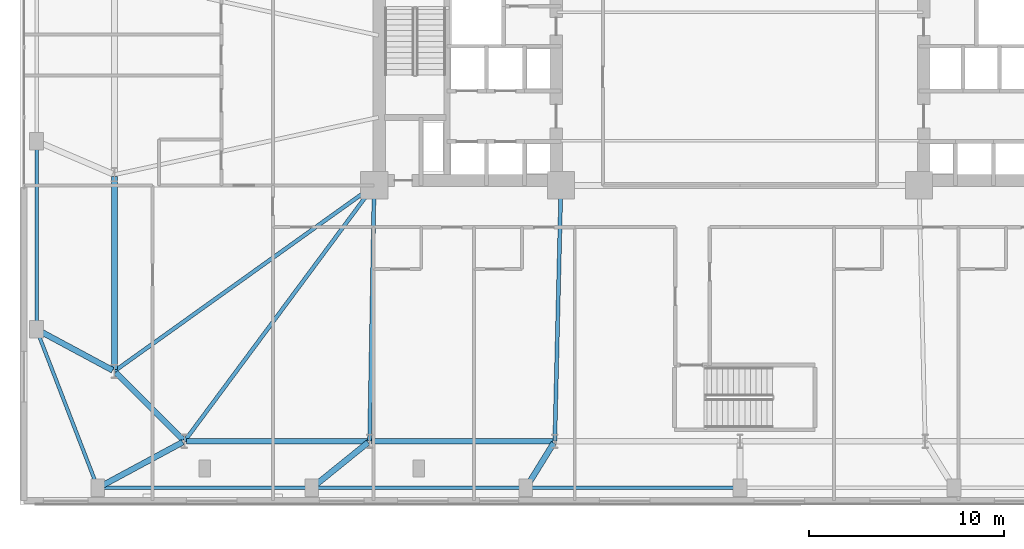
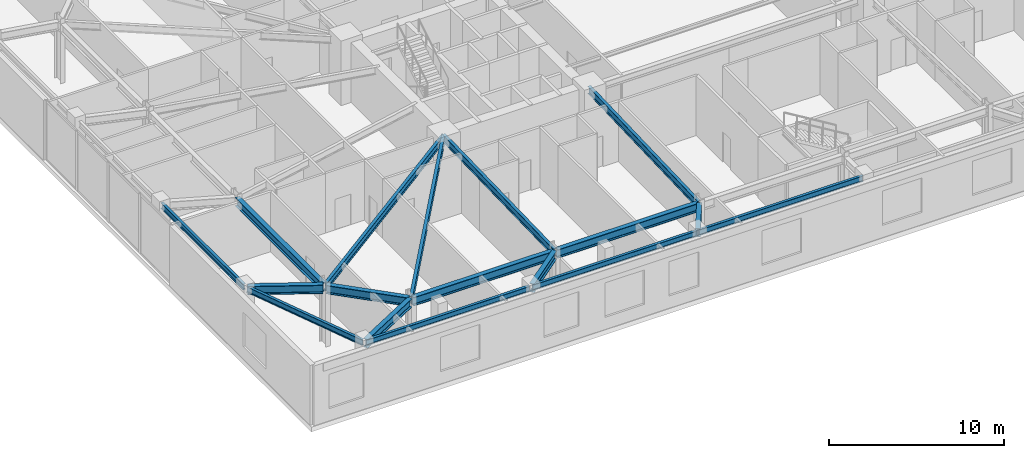
# One storey, part 4 of 21: 17 beams.
"""IFC4 building model written with IfcOpenShell, lengths in metres."""

from ifc_helpers import new_model, si_unit, direction, frame, origin, origin_2d, place, context, subcontext, project, spatial, i_section, extrude, material, material_profile, profile_set, type_object, element, save


model = new_model("IFC4")

# Units and contexts
model_context = context("Model", 3, precision=1e-05, world=origin(), true_north=direction((0.0, 1.0)))
body_context = subcontext(model_context, "Body", "Model", "MODEL_VIEW")
ifc_project = project(units=[si_unit("LENGTHUNIT", "METRE"), si_unit("AREAUNIT", "SQUARE_METRE"), si_unit("VOLUMEUNIT", "CUBIC_METRE"), si_unit("PLANEANGLEUNIT", "RADIAN"), si_unit("MASSUNIT", "GRAM", prefix="KILO")], contexts=[model_context])

# Site, building, storey
site_placement = place(None, origin())
site = spatial("IfcSite", under=ifc_project, at=site_placement, CompositionType="ELEMENT")
building_placement = place(site_placement, origin())
building = spatial("IfcBuilding", under=site, at=building_placement, Name="Qobustan Lattice House", CompositionType="ELEMENT")
storey_placement = place(building_placement, frame((0.0, 0.0, 18.0)))
storey = spatial("IfcBuildingStorey", under=building, at=storey_placement, Name="L04", CompositionType="ELEMENT", Elevation=18.0)

# Beams
ifc_material_1 = material(Name="Steel S355", Category="steel")
ifc_material_profile_1 = material_profile(ifc_material_1, i_section(OverallWidth=0.199951171875, OverallDepth=0.5, WebThickness=0.01025390625, FlangeThickness=0.01611328125, FilletRadius=0.02099609375, at=origin_2d()), Name="IPE500")
ifc_profile_set_1 = profile_set([ifc_material_profile_1], Name="Steel S355")
beam_type_1 = type_object("IfcBeamType", Name="BM-FLG-IPE500", PredefinedType="USERDEFINED", material=ifc_profile_set_1)
beam_1_placement = place(storey_placement, frame((-28.53515625, -18.72998046875, 3.919921875), z_axis=(0.5955916815, 0.803287338956, 0.0), x_axis=(-0.803287338956, 0.5955916815, 0.0)))
element("IfcBeam", 1, at=beam_1_placement, inside=storey, type_object=beam_type_1, Name="L04 primary floor girder RAD-S1W", ObjectType="GIRDER", PredefinedType="USERDEFINED", context=body_context, shape_type="SweptSolid", body=[
    extrude(i_section(OverallWidth=0.199951171875, OverallDepth=0.5, WebThickness=0.01025390625, FlangeThickness=0.01611328125, FilletRadius=0.02099609375, at=origin_2d()), origin(), (0.0, 0.0, 1.0), 16.3203125),
])
beam_2_placement = place(storey_placement, frame((-19.032958984375, -18.72509765625, 3.919921875), z_axis=(0.017757831607, 0.999842317276, 0.0), x_axis=(-0.999842317276, 0.017757831607, 0.0)))
element("IfcBeam", 2, at=beam_2_placement, inside=storey, type_object=beam_type_1, Name="L04 primary floor girder RAD-S2", ObjectType="GIRDER", PredefinedType="USERDEFINED", context=body_context, shape_type="SweptSolid", body=[
    extrude(i_section(OverallWidth=0.199951171875, OverallDepth=0.5, WebThickness=0.01025390625, FlangeThickness=0.01611328125, FilletRadius=0.02099609375, at=origin_2d()), origin(), (0.0, 0.0, 1.0), 13.10205078125),
])
beam_3_placement = place(storey_placement, frame((-9.51611328125, -18.72509765625, 3.919921875), z_axis=(0.024071445657, 0.999710240772, 0.0), x_axis=(-0.999710240772, 0.024071445657, 0.0)))
element("IfcBeam", 3, at=beam_3_placement, inside=storey, type_object=beam_type_1, Name="L04 primary floor girder RAD-S3", ObjectType="GIRDER", PredefinedType="USERDEFINED", context=body_context, shape_type="SweptSolid", body=[
    extrude(i_section(OverallWidth=0.199951171875, OverallDepth=0.5, WebThickness=0.01025390625, FlangeThickness=0.01611328125, FilletRadius=0.02099609375, at=origin_2d()), origin(), (0.0, 0.0, 1.0), 13.10400390625),
])
beam_4_placement = place(storey_placement, frame((-32.129638671875, -15.135498046875, 3.919921875), z_axis=(0.813318954893, 0.581818079481, 0.0), x_axis=(-0.581818079481, 0.813318954893, 0.0)))
element("IfcBeam", 4, at=beam_4_placement, inside=storey, type_object=beam_type_1, Name="L04 primary floor girder RAD-W4", ObjectType="GIRDER", PredefinedType="USERDEFINED", context=body_context, shape_type="SweptSolid", body=[
    extrude(i_section(OverallWidth=0.199951171875, OverallDepth=0.5, WebThickness=0.01025390625, FlangeThickness=0.01611328125, FilletRadius=0.02099609375, at=origin_2d()), origin(), (0.0, 0.0, 1.0), 16.3642578125),
])
ifc_material_2 = material(Name="Steel S355", Category="steel")
ifc_material_profile_2 = material_profile(ifc_material_2, i_section(OverallWidth=0.300048828125, OverallDepth=0.60009765625, WebThickness=0.015380859375, FlangeThickness=0.030029296875, FilletRadius=0.027099609375, at=origin_2d()), Name="HEB600")
ifc_profile_set_2 = profile_set([ifc_material_profile_2], Name="Steel S355")
beam_type_2 = type_object("IfcBeamType", Name="BM-POD-HEB600", PredefinedType="USERDEFINED", material=ifc_profile_set_2)
for number, where, z_axis, x_axis, name in (
    (5, (-28.449951171875, -18.75, 3.8701171875), (1.0, 0.0, 0.0), (0.0, 1.0, 0.0), "L04 tower base ring girder S1-S2"),
    (6, (-18.933349609375, -18.75, 3.8701171875), (1.0, 0.0, 0.0), (0.0, 1.0, 0.0), "L04 tower base ring girder S2-S3"),
):
    element("IfcBeam", number, at=place(storey_placement, frame(where, z_axis=z_axis, x_axis=x_axis)), inside=storey, type_object=beam_type_2, Name=name, ObjectType="GIRDER", PredefinedType="USERDEFINED", context=body_context, shape_type="SweptSolid", body=[
        extrude(i_section(OverallWidth=0.300048828125, OverallDepth=0.60009765625, WebThickness=0.015380859375, FlangeThickness=0.030029296875, FilletRadius=0.027099609375, at=origin_2d()), origin(), (0.0, 0.0, 1.0), 9.316650390625),
    ])
beam_5_placement = place(storey_placement, frame((-32.14990234375, -5.14990234375, 3.8701171875), z_axis=(0.0, -1.0, 0.0), x_axis=(1.0, 0.0, 0.0)))
element("IfcBeam", 7, at=beam_5_placement, inside=storey, type_object=beam_type_2, Name="L04 tower base ring girder W3-W4", ObjectType="GIRDER", PredefinedType="USERDEFINED", context=body_context, shape_type="SweptSolid", body=[
    extrude(i_section(OverallWidth=0.300048828125, OverallDepth=0.60009765625, WebThickness=0.015380859375, FlangeThickness=0.030029296875, FilletRadius=0.027099609375, at=origin_2d()), origin(), (0.0, 0.0, 1.0), 9.900146484375),
])
beam_6_placement = place(storey_placement, frame((-32.079345703125, -15.220703125, 3.8701171875), z_axis=(0.70713173775, -0.707081823743, 0.0), x_axis=(0.707081823743, 0.70713173775, 0.0)))
element("IfcBeam", 8, at=beam_6_placement, inside=storey, type_object=beam_type_2, Name="L04 tower base ring girder W4-S1", ObjectType="GIRDER", PredefinedType="USERDEFINED", context=body_context, shape_type="SweptSolid", body=[
    extrude(i_section(OverallWidth=0.300048828125, OverallDepth=0.60009765625, WebThickness=0.015380859375, FlangeThickness=0.030029296875, FilletRadius=0.027099609375, at=origin_2d()), origin(), (0.0, 0.0, 1.0), 4.89111328125),
])
beam_7_placement = place(storey_placement, frame((-32.894287109375, -21.093017578125, 3.8701171875), z_axis=(0.88016615165, 0.474665719732, 0.0), x_axis=(-0.474665719732, 0.88016615165, 0.0)))
element("IfcBeam", 9, at=beam_7_placement, inside=storey, type_object=beam_type_2, Name="L04 podium radial girder PS1", ObjectType="GIRDER", PredefinedType="USERDEFINED", context=body_context, shape_type="SweptSolid", body=[
    extrude(i_section(OverallWidth=0.300048828125, OverallDepth=0.60009765625, WebThickness=0.015380859375, FlangeThickness=0.030029296875, FilletRadius=0.027099609375, at=origin_2d()), origin(), (0.0, 0.0, 1.0), 4.8359375),
])
beam_8_placement = place(storey_placement, frame((-21.90673828125, -21.074462890625, 3.8701171875), z_axis=(0.777472502595, 0.62891693228, 0.0), x_axis=(-0.62891693228, 0.777472502595, 0.0)))
element("IfcBeam", 10, at=beam_8_placement, inside=storey, type_object=beam_type_2, Name="L04 podium radial girder PS2", ObjectType="GIRDER", PredefinedType="USERDEFINED", context=body_context, shape_type="SweptSolid", body=[
    extrude(i_section(OverallWidth=0.300048828125, OverallDepth=0.60009765625, WebThickness=0.015380859375, FlangeThickness=0.030029296875, FilletRadius=0.027099609375, at=origin_2d()), origin(), (0.0, 0.0, 1.0), 3.595703125),
])
beam_9_placement = place(storey_placement, frame((-10.93701171875, -21.0478515625, 3.8701171875), z_axis=(0.525782588011, 0.850618992349, 0.0), x_axis=(-0.850618992349, 0.525782588011, 0.0)))
element("IfcBeam", 11, at=beam_9_placement, inside=storey, type_object=beam_type_2, Name="L04 podium radial girder PS3", ObjectType="GIRDER", PredefinedType="USERDEFINED", context=body_context, shape_type="SweptSolid", body=[
    extrude(i_section(OverallWidth=0.300048828125, OverallDepth=0.60009765625, WebThickness=0.015380859375, FlangeThickness=0.030029296875, FilletRadius=0.027099609375, at=origin_2d()), origin(), (0.0, 0.0, 1.0), 2.601318359375),
])
beam_10_placement = place(storey_placement, frame((-36.044189453125, -13.056884765625, 3.8701171875), z_axis=(0.880815561441, -0.473459551307, 0.0), x_axis=(0.473459551307, 0.880815561441, 0.0)))
element("IfcBeam", 12, at=beam_10_placement, inside=storey, type_object=beam_type_2, Name="L04 podium radial girder PW1", ObjectType="GIRDER", PredefinedType="USERDEFINED", context=body_context, shape_type="SweptSolid", body=[
    extrude(i_section(OverallWidth=0.300048828125, OverallDepth=0.60009765625, WebThickness=0.015380859375, FlangeThickness=0.030029296875, FilletRadius=0.027099609375, at=origin_2d()), origin(), (0.0, 0.0, 1.0), 4.3212890625),
])
ifc_material_3 = material(Name="Steel S355", Category="steel")
ifc_material_profile_3 = material_profile(ifc_material_3, i_section(OverallWidth=0.179931640625, OverallDepth=0.39990234375, WebThickness=0.008544921875, FlangeThickness=0.013427734375, FilletRadius=0.02099609375, at=origin_2d()), Name="IPE400")
ifc_profile_set_3 = profile_set([ifc_material_profile_3], Name="Steel S355")
beam_type_3 = type_object("IfcBeamType", Name="BM-SPD-IPE400", PredefinedType="SPANDREL", material=ifc_profile_set_3)
for number, where, z_axis, x_axis, name in (
    (13, (-32.8798828125, -21.14990234375, 3.969970703125), (1.0, 0.0, 0.0), (0.0, 1.0, 0.0), "L04 podium spandrel PS1-PS2"),
    (14, (-21.8798828125, -21.14990234375, 3.969970703125), (1.0, 0.0, 0.0), (0.0, 1.0, 0.0), "L04 podium spandrel PS2-PS3"),
    (15, (-10.8798828125, -21.14990234375, 3.969970703125), (1.0, 0.0, 0.0), (0.0, 1.0, 0.0), "L04 podium spandrel PS3-PS4"),
):
    element("IfcBeam", number, at=place(storey_placement, frame(where, z_axis=z_axis, x_axis=x_axis)), inside=storey, type_object=beam_type_3, Name=name, PredefinedType="SPANDREL", context=body_context, shape_type="SweptSolid", body=[
        extrude(i_section(OverallWidth=0.179931640625, OverallDepth=0.39990234375, WebThickness=0.008544921875, FlangeThickness=0.013427734375, FilletRadius=0.02099609375, at=origin_2d()), origin(), (0.0, 0.0, 1.0), 10.759765625),
    ])
beam_11_placement = place(storey_placement, frame((-36.14990234375, -12.8798828125, 3.969970703125), z_axis=(0.0, 1.0, 0.0), x_axis=(-1.0, 0.0, 0.0)))
element("IfcBeam", 16, at=beam_11_placement, inside=storey, type_object=beam_type_3, Name="L04 podium spandrel PW1-PW2", PredefinedType="SPANDREL", context=body_context, shape_type="SweptSolid", body=[
    extrude(i_section(OverallWidth=0.179931640625, OverallDepth=0.39990234375, WebThickness=0.008544921875, FlangeThickness=0.013427734375, FilletRadius=0.02099609375, at=origin_2d()), origin(), (0.0, 0.0, 1.0), 9.426513671875),
])
beam_12_placement = place(storey_placement, frame((-33.043212890625, -21.0380859375, 3.969970703125), z_axis=(-0.360507225068, 0.93275642087, 0.0), x_axis=(-0.93275642087, -0.360507225068, 0.0)))
element("IfcBeam", 17, at=beam_12_placement, inside=storey, type_object=beam_type_3, Name="L04 podium corner tie PS1-PW1", PredefinedType="SPANDREL", context=body_context, shape_type="SweptSolid", body=[
    extrude(i_section(OverallWidth=0.179931640625, OverallDepth=0.39990234375, WebThickness=0.008544921875, FlangeThickness=0.013427734375, FilletRadius=0.02099609375, at=origin_2d()), origin(), (0.0, 0.0, 1.0), 8.497802734375),
])

save(model, "model.ifc")
